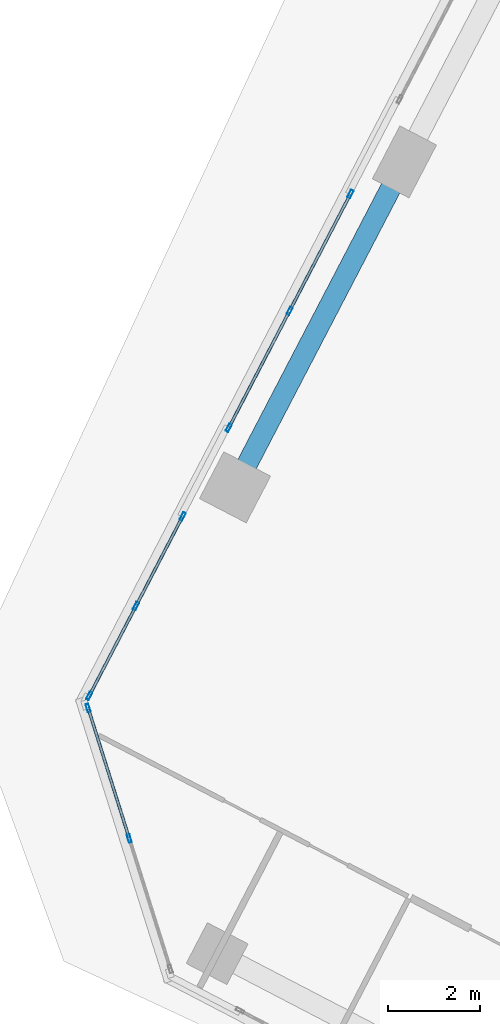
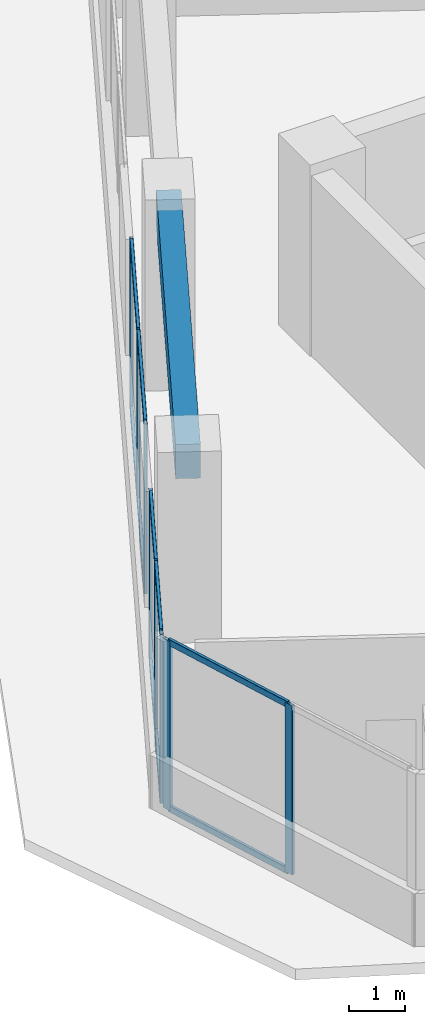
# One storey, part 6 of 22: 18 members, 1 beam, 3 elements without a shape of their own.
"""IFC4 building model written with IfcOpenShell, lengths in metres."""

from ifc_helpers import new_model, si_unit, direction, frame, origin, origin_2d, place, context, subcontext, project, spatial, rectangle, hollow_rectangle, extrude, source, transform, mapped, material, material_profile, profile_set, type_object, element, aggregate, save


model = new_model("IFC4")

# Units and contexts
model_context = context("Model", 3, precision=1e-05, world=origin(), true_north=direction((0.0, 1.0)))
body_context = subcontext(model_context, "Body", "Model", "MODEL_VIEW")
ifc_project = project(units=[si_unit("LENGTHUNIT", "METRE"), si_unit("AREAUNIT", "SQUARE_METRE"), si_unit("VOLUMEUNIT", "CUBIC_METRE"), si_unit("PLANEANGLEUNIT", "RADIAN"), si_unit("MASSUNIT", "GRAM", prefix="KILO")], contexts=[model_context])

# Site, building, storey
site_placement = place(None, origin())
site = spatial("IfcSite", under=ifc_project, at=site_placement, CompositionType="ELEMENT")
building_placement = place(site_placement, origin())
building = spatial("IfcBuilding", under=site, at=building_placement, Name="Torre Montelarca", CompositionType="ELEMENT")
storey_placement = place(building_placement, frame((0.0, 0.0, 166.60009765625)))
storey = spatial("IfcBuildingStorey", under=building, at=storey_placement, Name="L37", CompositionType="ELEMENT", Elevation=166.60009765625)

# Beam
ifc_material_1 = material(Name="Concrete C55/67", Category="concrete")
ifc_material_profile_1 = material_profile(ifc_material_1, rectangle(XDim=0.449951171875, YDim=0.75, at=origin_2d()), Name="RCB450X750", Category="concrete")
ifc_profile_set_1 = profile_set([ifc_material_profile_1], Name="Concrete C55/67")
beam_type = type_object("IfcBeamType", Name="BM-SP-RC750-EXT", PredefinedType="SPANDREL", material=ifc_profile_set_1)
shared_shape_1 = source(origin(), body_context, "Body", "SweptSolid", [
    extrude(rectangle(XDim=0.449951171875, YDim=0.75, at=origin_2d()), origin(), (0.0, 0.0, 1.0), 8.000244140625),
])
beam_placement = place(storey_placement, frame((2.85986328125, 32.684326171875, 3.5849609375), z_axis=(0.461753369906, 0.887008356996, 0.0), x_axis=(-0.887008356996, 0.461753369906, 0.0)))
element("IfcBeam", 1, at=beam_placement, inside=storey, type_object=beam_type, Name="L37 Grid Girder Y 24.0-32.0 at X=4.7", PredefinedType="SPANDREL", context=body_context, shape_type="MappedRepresentation", body=[
    mapped(shared_shape_1, transform((0.0, 0.0, 0.0), scale=1.0)),
])

# Curtain wall, members
ifc_material_2 = material(Name="Insulated low-E laminated glass", Category="glass")
curtain_wall_type = type_object("IfcCurtainWallType", Name="CW-SYS-Z2", PredefinedType="USERDEFINED", material=ifc_material_2)
curtain_wall_1_placement = place(storey_placement, origin())
curtain_wall_1 = element("IfcCurtainWall", 2, at=curtain_wall_1_placement, inside=storey, type_object=curtain_wall_type, Name="L37 Curtain Wall Run CW-T3-L37-E11-B1", ObjectType="UNITISED GLAZING", PredefinedType="USERDEFINED")
ifc_material_3 = material(Name="Anodised aluminium AA 6063-T6", Category="aluminium")
ifc_material_profile_2 = material_profile(ifc_material_3, hollow_rectangle(XDim=0.06494140625, YDim=0.139892578125, WallThickness=0.00390625, InnerFilletRadius=0.00390625, OuterFilletRadius=0.008056640625, at=origin_2d()), Name="ALU65X140X4", Category="aluminium")
ifc_profile_set_2 = profile_set([ifc_material_profile_2], Name="Anodised aluminium AA 6063-T6")
member_type_1 = type_object("IfcMemberType", Name="CWT-ALU140", PredefinedType="USERDEFINED", material=ifc_profile_set_2)
shared_shape_2 = source(origin(), body_context, "Body", "SweptSolid", [
    extrude(hollow_rectangle(XDim=0.06494140625, YDim=0.139892578125, WallThickness=0.00390625, InnerFilletRadius=0.00390625, OuterFilletRadius=0.008056640625, at=origin_2d()), origin(), (0.0, 0.0, 1.0), 2.918701171875),
])
member_1_placement = place(storey_placement, frame((-0.33251953125, 27.83984375, 0.032470703125), z_axis=(0.30062691611, -0.953741819, 0.0), x_axis=(0.953741819, 0.30062691611, 0.0)))
member_1 = element("IfcMember", 3, at=member_1_placement, type_object=member_type_1, Name="CW transom 1.1", ObjectType="TRANSOM", PredefinedType="USERDEFINED", context=body_context, shape_type="MappedRepresentation", body=[
    mapped(shared_shape_2, transform((0.0, 0.0, 0.0), scale=1.0)),
])
member_2_placement = place(storey_placement, frame((-0.33251953125, 27.83984375, 3.6875), z_axis=(0.30062691611, -0.953741819, 0.0), x_axis=(0.953741819, 0.30062691611, 0.0)))
member_2 = element("IfcMember", 4, at=member_2_placement, type_object=member_type_1, Name="CW transom 1.2", ObjectType="TRANSOM", PredefinedType="USERDEFINED", context=body_context, shape_type="MappedRepresentation", body=[
    mapped(shared_shape_2, transform((0.0, 0.0, 0.0), scale=1.0)),
])

curtain_wall_2_placement = place(storey_placement, origin())
curtain_wall_2 = element("IfcCurtainWall", 5, at=curtain_wall_2_placement, inside=storey, type_object=curtain_wall_type, Name="L37 Curtain Wall Run CW-T3-L37-E10-B2", ObjectType="UNITISED GLAZING", PredefinedType="USERDEFINED")
ifc_material_profile_3 = material_profile(ifc_material_3, hollow_rectangle(XDim=0.06494140625, YDim=0.179931640625, WallThickness=0.00390625, InnerFilletRadius=0.00390625, OuterFilletRadius=0.008056640625, at=origin_2d()), Name="ALU65X180X4", Category="aluminium")
ifc_profile_set_3 = profile_set([ifc_material_profile_3], Name="Anodised aluminium AA 6063-T6")
member_type_2 = type_object("IfcMemberType", Name="CWM-ALU180", PredefinedType="MULLION", material=ifc_profile_set_3)
shared_shape_3 = source(origin(), body_context, "Body", "SweptSolid", [
    extrude(hollow_rectangle(XDim=0.06494140625, YDim=0.179931640625, WallThickness=0.00390625, InnerFilletRadius=0.00390625, OuterFilletRadius=0.008056640625, at=origin_2d()), origin(), (0.0, 0.0, 1.0), 3.719970703125),
])
member_3_placement = place(storey_placement, frame((5.37841796875, 39.081787109375, 0.0), z_axis=(0.0, 0.0, 1.0), x_axis=(0.88700976587, -0.46175066351, 0.0)))
member_3 = element("IfcMember", 6, at=member_3_placement, type_object=member_type_2, Name="CW mullion 1", PredefinedType="MULLION", context=body_context, shape_type="MappedRepresentation", body=[
    mapped(shared_shape_3, transform((0.0, 0.0, 0.0), scale=1.0)),
])
member_4_placement = place(storey_placement, frame((4.051025390625, 36.531494140625, 0.0), z_axis=(0.0, 0.0, 1.0), x_axis=(0.88700976587, -0.46175066351, 0.0)))
member_4 = element("IfcMember", 7, at=member_4_placement, type_object=member_type_2, Name="CW mullion 2", PredefinedType="MULLION", context=body_context, shape_type="MappedRepresentation", body=[
    mapped(shared_shape_3, transform((0.0, 0.0, 0.0), scale=1.0)),
])
member_5_placement = place(storey_placement, frame((2.723388671875, 33.9814453125, 0.0), z_axis=(0.0, 0.0, 1.0), x_axis=(0.88700976587, -0.46175066351, 0.0)))
member_5 = element("IfcMember", 8, at=member_5_placement, type_object=member_type_2, Name="CW mullion 3", PredefinedType="MULLION", context=body_context, shape_type="MappedRepresentation", body=[
    mapped(shared_shape_3, transform((0.0, 0.0, 0.0), scale=1.0)),
])

curtain_wall_3_placement = place(storey_placement, origin())
curtain_wall_3 = element("IfcCurtainWall", 9, at=curtain_wall_3_placement, inside=storey, type_object=curtain_wall_type, Name="L37 Curtain Wall Run CW-T3-L37-E10-B3", ObjectType="UNITISED GLAZING", PredefinedType="USERDEFINED")
member_6_placement = place(storey_placement, frame((1.718994140625, 32.05224609375, 0.0), z_axis=(0.0, 0.0, 1.0), x_axis=(0.887016772008, -0.46173720467, 0.0)))
member_6 = element("IfcMember", 10, at=member_6_placement, type_object=member_type_2, Name="CW mullion 1", PredefinedType="MULLION", context=body_context, shape_type="MappedRepresentation", body=[
    mapped(shared_shape_3, transform((0.0, 0.0, 0.0), scale=1.0)),
])
member_7_placement = place(storey_placement, frame((0.699951171875, 30.094482421875, 0.0), z_axis=(0.0, 0.0, 1.0), x_axis=(0.887016772008, -0.46173720467, 0.0)))
member_7 = element("IfcMember", 11, at=member_7_placement, type_object=member_type_2, Name="CW mullion 2", PredefinedType="MULLION", context=body_context, shape_type="MappedRepresentation", body=[
    mapped(shared_shape_3, transform((0.0, 0.0, 0.0), scale=1.0)),
])
member_8_placement = place(storey_placement, frame((-0.319091796875, 28.13671875, 0.0), z_axis=(0.0, 0.0, 1.0), x_axis=(0.887016772008, -0.46173720467, 0.0)))
member_8 = element("IfcMember", 12, at=member_8_placement, type_object=member_type_2, Name="CW mullion 3", PredefinedType="MULLION", context=body_context, shape_type="MappedRepresentation", body=[
    mapped(shared_shape_3, transform((0.0, 0.0, 0.0), scale=1.0)),
])

# Member
member_9_placement = place(storey_placement, frame((-0.34228515625, 27.870849609375, 0.0), z_axis=(0.0, 0.0, 1.0), x_axis=(0.953723866137, 0.300683865815, 0.0)))
member_9 = element("IfcMember", 13, at=member_9_placement, type_object=member_type_2, Name="CW mullion 1", PredefinedType="MULLION", context=body_context, shape_type="MappedRepresentation", body=[
    mapped(shared_shape_3, transform((0.0, 0.0, 0.0), scale=1.0)),
])

member_10_placement = place(storey_placement, frame((0.5546875, 25.025146484375, 0.0), z_axis=(0.0, 0.0, 1.0), x_axis=(0.953723866137, 0.300683865815, 0.0)))
member_10 = element("IfcMember", 14, at=member_10_placement, type_object=member_type_2, Name="CW mullion 2", PredefinedType="MULLION", context=body_context, shape_type="MappedRepresentation", body=[
    mapped(shared_shape_3, transform((0.0, 0.0, 0.0), scale=1.0)),
])

aggregate(curtain_wall_1, [member_9, member_10, member_1, member_2])

shared_shape_4 = source(origin(), body_context, "Body", "SweptSolid", [
    extrude(hollow_rectangle(XDim=0.06494140625, YDim=0.139892578125, WallThickness=0.00390625, InnerFilletRadius=0.00390625, OuterFilletRadius=0.008056640625, at=origin_2d()), origin(), (0.0, 0.0, 1.0), 2.809814453125),
])
member_11_placement = place(storey_placement, frame((4.035888671875, 36.502685546875, 0.032470703125), z_axis=(-0.461716550074, -0.887027523467, 0.0), x_axis=(0.887027523467, -0.461716550074, 0.0)))
member_11 = element("IfcMember", 15, at=member_11_placement, type_object=member_type_1, Name="CW transom 2.1", ObjectType="TRANSOM", PredefinedType="USERDEFINED", context=body_context, shape_type="MappedRepresentation", body=[
    mapped(shared_shape_4, transform((0.0, 0.0, 0.0), scale=1.0)),
])

member_12_placement = place(storey_placement, frame((4.035888671875, 36.502685546875, 3.6875), z_axis=(-0.461716550074, -0.887027523467, 0.0), x_axis=(0.887027523467, -0.461716550074, 0.0)))
member_12 = element("IfcMember", 16, at=member_12_placement, type_object=member_type_1, Name="CW transom 2.2", ObjectType="TRANSOM", PredefinedType="USERDEFINED", context=body_context, shape_type="MappedRepresentation", body=[
    mapped(shared_shape_4, transform((0.0, 0.0, 0.0), scale=1.0)),
])

shared_shape_5 = source(origin(), body_context, "Body", "SweptSolid", [
    extrude(hollow_rectangle(XDim=0.06494140625, YDim=0.139892578125, WallThickness=0.00390625, InnerFilletRadius=0.00390625, OuterFilletRadius=0.008056640625, at=origin_2d()), origin(), (0.0, 0.0, 1.0), 2.81005859375),
])
member_13_placement = place(storey_placement, frame((5.363525390625, 39.052978515625, 0.032470703125), z_axis=(-0.461784910057, -0.886991937305, 0.0), x_axis=(0.886991937305, -0.461784910057, 0.0)))
member_13 = element("IfcMember", 17, at=member_13_placement, type_object=member_type_1, Name="CW transom 1.1", ObjectType="TRANSOM", PredefinedType="USERDEFINED", context=body_context, shape_type="MappedRepresentation", body=[
    mapped(shared_shape_5, transform((0.0, 0.0, 0.0), scale=1.0)),
])

member_14_placement = place(storey_placement, frame((5.363525390625, 39.052978515625, 3.6875), z_axis=(-0.461784910057, -0.886991937305, 0.0), x_axis=(0.886991937305, -0.461784910057, 0.0)))
member_14 = element("IfcMember", 18, at=member_14_placement, type_object=member_type_1, Name="CW transom 1.2", ObjectType="TRANSOM", PredefinedType="USERDEFINED", context=body_context, shape_type="MappedRepresentation", body=[
    mapped(shared_shape_5, transform((0.0, 0.0, 0.0), scale=1.0)),
])

aggregate(curtain_wall_2, [member_3, member_4, member_5, member_13, member_14, member_11, member_12])

shared_shape_6 = source(origin(), body_context, "Body", "SweptSolid", [
    extrude(hollow_rectangle(XDim=0.06494140625, YDim=0.139892578125, WallThickness=0.00390625, InnerFilletRadius=0.00390625, OuterFilletRadius=0.008056640625, at=origin_2d()), origin(), (0.0, 0.0, 1.0), 2.14208984375),
])
member_15_placement = place(storey_placement, frame((1.7041015625, 32.0234375, 0.032470703125), z_axis=(-0.461697199095, -0.887037595792, 0.0), x_axis=(0.887037595792, -0.461697199095, 0.0)))
member_15 = element("IfcMember", 19, at=member_15_placement, type_object=member_type_1, Name="CW transom 1.1", ObjectType="TRANSOM", PredefinedType="USERDEFINED", context=body_context, shape_type="MappedRepresentation", body=[
    mapped(shared_shape_6, transform((0.0, 0.0, 0.0), scale=1.0)),
])

member_16_placement = place(storey_placement, frame((1.7041015625, 32.0234375, 3.6875), z_axis=(-0.461697199095, -0.887037595792, 0.0), x_axis=(0.887037595792, -0.461697199095, 0.0)))
member_16 = element("IfcMember", 20, at=member_16_placement, type_object=member_type_1, Name="CW transom 1.2", ObjectType="TRANSOM", PredefinedType="USERDEFINED", context=body_context, shape_type="MappedRepresentation", body=[
    mapped(shared_shape_6, transform((0.0, 0.0, 0.0), scale=1.0)),
])

shared_shape_7 = source(origin(), body_context, "Body", "SweptSolid", [
    extrude(hollow_rectangle(XDim=0.06494140625, YDim=0.139892578125, WallThickness=0.00390625, InnerFilletRadius=0.00390625, OuterFilletRadius=0.008056640625, at=origin_2d()), origin(), (0.0, 0.0, 1.0), 2.142333984375),
])
member_17_placement = place(storey_placement, frame((0.68505859375, 30.065673828125, 0.032470703125), z_axis=(-0.461786868599, -0.886990917648, 0.0), x_axis=(0.886990917648, -0.461786868599, 0.0)))
member_17 = element("IfcMember", 21, at=member_17_placement, type_object=member_type_1, Name="CW transom 2.1", ObjectType="TRANSOM", PredefinedType="USERDEFINED", context=body_context, shape_type="MappedRepresentation", body=[
    mapped(shared_shape_7, transform((0.0, 0.0, 0.0), scale=1.0)),
])

member_18_placement = place(storey_placement, frame((0.68505859375, 30.065673828125, 3.6875), z_axis=(-0.461786868599, -0.886990917648, 0.0), x_axis=(0.886990917648, -0.461786868599, 0.0)))
member_18 = element("IfcMember", 22, at=member_18_placement, type_object=member_type_1, Name="CW transom 2.2", ObjectType="TRANSOM", PredefinedType="USERDEFINED", context=body_context, shape_type="MappedRepresentation", body=[
    mapped(shared_shape_7, transform((0.0, 0.0, 0.0), scale=1.0)),
])

aggregate(curtain_wall_3, [member_6, member_7, member_8, member_15, member_16, member_17, member_18])

save(model, "model.ifc")
